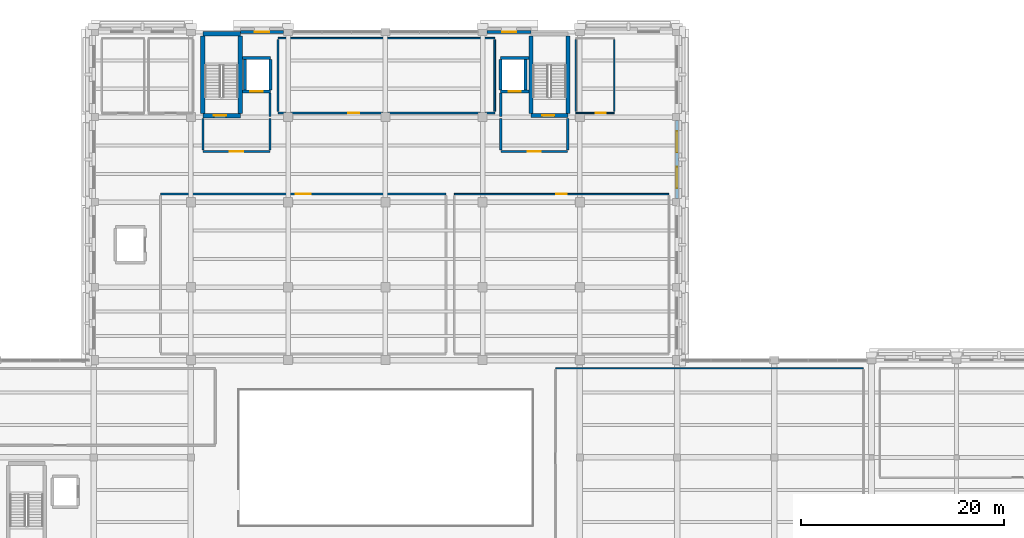
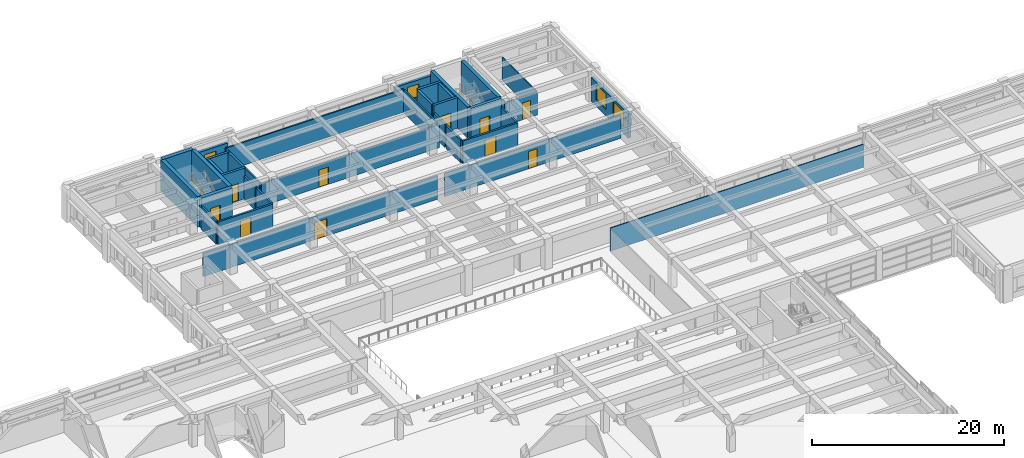
# One storey, part 47 of 62: 36 walls, 10 doors, 4 windows, 14 openings.
"""IFC4 building model written with IfcOpenShell, lengths in metres."""

from ifc_helpers import new_model, si_unit, direction, frame, frame_2d, origin, place, context, subcontext, project, spatial, rectangle, extrude, material, layer, layer_set, type_object, element, fill, save


model = new_model("IFC4")

# Units and contexts
model_context = context("Model", 3, precision=1e-05, world=origin(), true_north=direction((0.0, 1.0)))
body_context = subcontext(model_context, "Body", "Model", "MODEL_VIEW")
ifc_project = project(units=[si_unit("LENGTHUNIT", "METRE"), si_unit("AREAUNIT", "SQUARE_METRE"), si_unit("VOLUMEUNIT", "CUBIC_METRE"), si_unit("PLANEANGLEUNIT", "RADIAN"), si_unit("MASSUNIT", "GRAM", prefix="KILO")], contexts=[model_context])

# Site, building, storey
site_placement = place(None, origin())
site = spatial("IfcSite", under=ifc_project, at=site_placement, CompositionType="ELEMENT")
building_placement = place(site_placement, origin())
building = spatial("IfcBuilding", under=site, at=building_placement, Name="Bempovik Park Faculty of Sciences", CompositionType="ELEMENT")
storey_placement = place(building_placement, frame((0.0, 0.0, 9.89990234375)))
storey = spatial("IfcBuildingStorey", under=building, at=storey_placement, Name="L02", CompositionType="ELEMENT", Elevation=9.89990234375)

# Wall, opening, door
ifc_material_1 = material(Name="Concrete C40/50", Category="concrete")
ifc_layer_1 = layer(ifc_material_1, 0.449951171875)
ifc_layer_set_1 = layer_set([ifc_layer_1], Name="Concrete C40/50")
wall_type_1 = type_object("IfcWallType", Name="W-15 Wall 450mm", PredefinedType="SHEAR", material=ifc_layer_set_1)
wall_1_placement = place(storey_placement, frame((70.77490234375, 111.14990234375, 0.0), z_axis=(0.0, 0.0, 1.0), x_axis=(1.0, 0.0, 0.0)))
wall_1 = element("IfcWall", 1, at=wall_1_placement, inside=storey, type_object=wall_type_1, Name="ST-1 L02 Core Shear Wall South", PredefinedType="SHEAR", context=body_context, shape_type="SweptSolid", body=[
    extrude(rectangle(XDim=3.7001953125, YDim=0.449951171875, at=frame_2d((1.85009765625, 0.0))), origin(), (0.0, 0.0, 1.0), 3.900146484375),
])
opening_1_placement = place(wall_1_placement, frame((1.10009765625, 0.0, 0.0)))
opening_1 = element("IfcOpeningElement", 2, at=opening_1_placement, cuts=wall_1, Name="Opening D-49", PredefinedType="OPENING", context=body_context, shape_type="SweptSolid", body=[
    extrude(rectangle(XDim=1.199951171875, YDim=2.199951171875, at=frame_2d((0.60009765625, 1.10009765625))), frame((0.0, 0.23486328125, 0.0), z_axis=(0.0, -1.0, 0.0), x_axis=(1.0, 0.0, 0.0)), (0.0, 0.0, 1.0), 0.469970703125),
])
ifc_material_2 = material(Name="Painted steel S355", Category="steel")
door_type_1 = type_object("IfcDoorType", Name="D-49 Door 1200x2200", OperationType="NOTDEFINED", PredefinedType="DOOR", material=ifc_material_2)
door_1_placement = place(opening_1_placement, origin())
door_1 = element("IfcDoor", 3, at=door_1_placement, inside=storey, type_object=door_type_1, Name="ST-1 L02 Protected Stair Smoke Door", OperationType="SINGLE_SWING_RIGHT", OverallHeight=2.199951171875, OverallWidth=1.199951171875, PredefinedType="DOOR", context=body_context, shape_type="SweptSolid", body=[
    extrude(rectangle(XDim=1.199951171875, YDim=2.199951171875, at=frame_2d((0.60009765625, 1.10009765625))), frame((0.0, 0.02490234375, 0.0), z_axis=(0.0, -1.0, 0.0), x_axis=(1.0, 0.0, 0.0)), (0.0, 0.0, 1.0), 0.050048828125),
])
fill(opening_1, door_1)

# Walls
for number, where, z_axis, x_axis, name in (
    (4, (70.77490234375, 111.35009765625, 0.0), (0.0, 0.0, 1.0), (0.0, 1.0, 0.0), "ST-1 L02 Core Shear Wall West"),
    (5, (74.47509765625, 111.35009765625, 0.0), (0.0, 0.0, 1.0), (0.0, 1.0, 0.0), "ST-1 L02 Core Shear Wall East"),
):
    element("IfcWall", number, at=place(storey_placement, frame(where, z_axis=z_axis, x_axis=x_axis)), inside=storey, type_object=wall_type_1, Name=name, PredefinedType="SHEAR", context=body_context, shape_type="SweptSolid", body=[
        extrude(rectangle(XDim=7.6748046875, YDim=0.449951171875, at=frame_2d((3.83740234375, 0.0))), origin(), (0.0, 0.0, 1.0), 3.900146484375),
    ])
wall_2_placement = place(storey_placement, frame((70.77490234375, 119.22509765625, 0.0), z_axis=(0.0, 0.0, 1.0), x_axis=(1.0, 0.0, 0.0)))
element("IfcWall", 6, at=wall_2_placement, inside=storey, type_object=wall_type_1, Name="ST-1 L02 Core Shear Wall North", PredefinedType="SHEAR", context=body_context, shape_type="SweptSolid", body=[
    extrude(rectangle(XDim=3.7001953125, YDim=0.449951171875, at=frame_2d((1.85009765625, 0.0))), origin(), (0.0, 0.0, 1.0), 3.900146484375),
])
ifc_material_3 = material(Name="Gypsum acoustic stud assembly")
ifc_layer_2 = layer(ifc_material_3, 0.1201171875)
ifc_layer_set_2 = layer_set([ifc_layer_2], Name="Gypsum acoustic stud assembly")
wall_type_2 = type_object("IfcWallType", Name="W-17 Wall 120mm", PredefinedType="PARTITIONING", material=ifc_layer_set_2)
wall_3_placement = place(storey_placement, frame((105.60009765625, 86.199951171875, 0.0), z_axis=(0.0, 0.0, 1.0), x_axis=(1.0, 0.0, 0.0)))
element("IfcWall", 7, at=wall_3_placement, inside=storey, type_object=wall_type_2, Name="L02 Atrium East Academic Staff Offices Partition North", PredefinedType="PARTITIONING", context=body_context, shape_type="SweptSolid", body=[
    extrude(rectangle(XDim=30.39990234375, YDim=0.1201171875, at=frame_2d((15.199951171875, 0.0))), origin(), (0.0, 0.0, 1.0), 2.920166015625),
])

# Wall, opening, door
wall_4_placement = place(storey_placement, frame((107.60009765625, 111.39990234375, 0.0), z_axis=(0.0, 0.0, 1.0), x_axis=(1.0, 0.0, 0.0)))
wall_4 = element("IfcWall", 8, at=wall_4_placement, inside=storey, type_object=wall_type_2, Name="L02 L02 Accessible WC Partition South", PredefinedType="PARTITIONING", context=body_context, shape_type="SweptSolid", body=[
    extrude(rectangle(XDim=3.7998046875, YDim=0.1201171875, at=frame_2d((1.89990234375, 0.0))), origin(), (0.0, 0.0, 1.0), 2.920166015625),
])
opening_2_placement = place(wall_4_placement, frame((1.969970703125, 0.0, 0.0)))
opening_2 = element("IfcOpeningElement", 9, at=opening_2_placement, cuts=wall_4, Name="Opening D-50", PredefinedType="OPENING", context=body_context, shape_type="SweptSolid", body=[
    extrude(rectangle(XDim=1.0, YDim=2.14990234375, at=frame_2d((0.5, 1.074951171875))), frame((0.0, 0.070068359375, 0.0), z_axis=(0.0, -1.0, 0.0), x_axis=(1.0, 0.0, 0.0)), (0.0, 0.0, 1.0), 0.14013671875),
])
ifc_material_4 = material(Name="West African hardwood finish", Category="wood")
door_type_2 = type_object("IfcDoorType", Name="D-50 Door 1000x2150", OperationType="NOTDEFINED", PredefinedType="DOOR", material=ifc_material_4)
door_2_placement = place(opening_2_placement, origin())
door_2 = element("IfcDoor", 10, at=door_2_placement, inside=storey, type_object=door_type_2, Name="L02 L02 Accessible WC Door", OperationType="SINGLE_SWING_LEFT", OverallHeight=2.14990234375, OverallWidth=1.0, PredefinedType="DOOR", context=body_context, shape_type="SweptSolid", body=[
    extrude(rectangle(XDim=1.0, YDim=2.14990234375, at=frame_2d((0.5, 1.074951171875))), frame((0.0, 0.02490234375, 0.0), z_axis=(0.0, -1.0, 0.0), x_axis=(1.0, 0.0, 0.0)), (0.0, 0.0, 1.0), 0.050048828125),
])
fill(opening_2, door_2)

# Walls
for number, where, z_axis, x_axis, name in (
    (11, (107.60009765625, 111.56005859375, 0.0), (0.0, 0.0, 1.0), (0.0, 1.0, 0.0), "L02 L02 Accessible WC Partition West"),
    (12, (111.39990234375, 111.56005859375, 0.0), (0.0, 0.0, 1.0), (0.0, 1.0, 0.0), "L02 L02 Accessible WC Partition East"),
):
    element("IfcWall", number, at=place(storey_placement, frame(where, z_axis=z_axis, x_axis=x_axis)), inside=storey, type_object=wall_type_2, Name=name, PredefinedType="PARTITIONING", context=body_context, shape_type="SweptSolid", body=[
        extrude(rectangle(XDim=7.079833984375, YDim=0.1201171875, at=frame_2d((3.5400390625, 0.0))), origin(), (0.0, 0.0, 1.0), 2.920166015625),
    ])

# Wall, opening, door
ifc_layer_3 = layer(ifc_material_3, 0.139892578125)
ifc_layer_set_3 = layer_set([ifc_layer_3], Name="Gypsum acoustic stud assembly")
wall_type_3 = type_object("IfcWallType", Name="W-21 Wall 140mm", PredefinedType="PARTITIONING", material=ifc_layer_set_3)
wall_5_placement = place(storey_placement, frame((95.60009765625, 103.39990234375, 0.0), z_axis=(0.0, 0.0, 1.0), x_axis=(1.0, 0.0, 0.0)))
wall_5 = element("IfcWall", 13, at=wall_5_placement, inside=storey, type_object=wall_type_3, Name="L02 Postgraduate Researcher Write-Up Suite Partition North", PredefinedType="PARTITIONING", context=body_context, shape_type="SweptSolid", body=[
    extrude(rectangle(XDim=21.199951171875, YDim=0.139892578125, at=frame_2d((10.60009765625, 0.0))), origin(), (0.0, 0.0, 1.0), 2.920166015625),
])
opening_3_placement = place(wall_5_placement, frame((10.090087890625, 0.0, 0.0)))
opening_3 = element("IfcOpeningElement", 14, at=opening_3_placement, cuts=wall_5, Name="Opening D-12", PredefinedType="OPENING", context=body_context, shape_type="SweptSolid", body=[
    extrude(rectangle(XDim=1.02001953125, YDim=2.199951171875, at=frame_2d((0.510009765625, 1.10009765625))), frame((0.0, 0.080078125, 0.0), z_axis=(0.0, -1.0, 0.0), x_axis=(1.0, 0.0, 0.0)), (0.0, 0.0, 1.0), 0.159912109375),
])
door_type_3 = type_object("IfcDoorType", Name="D-12 Door 1020x2200", OperationType="NOTDEFINED", PredefinedType="DOOR", material=ifc_material_4)
door_3_placement = place(opening_3_placement, origin())
door_3 = element("IfcDoor", 15, at=door_3_placement, inside=storey, type_object=door_type_3, Name="L02 Postgraduate Researcher Write-Up Suite Door", OperationType="SINGLE_SWING_LEFT", OverallHeight=2.199951171875, OverallWidth=1.02001953125, PredefinedType="DOOR", context=body_context, shape_type="SweptSolid", body=[
    extrude(rectangle(XDim=1.02001953125, YDim=2.199951171875, at=frame_2d((0.510009765625, 1.10009765625))), frame((0.0, 0.02490234375, 0.0), z_axis=(0.0, -1.0, 0.0), x_axis=(1.0, 0.0, 0.0)), (0.0, 0.0, 1.0), 0.050048828125),
])
fill(opening_3, door_3)

ifc_layer_4 = layer(ifc_material_1, 0.300048828125)
ifc_layer_set_4 = layer_set([ifc_layer_4], Name="Concrete C40/50")
wall_type_4 = type_object("IfcWallType", Name="W-31 Wall 300mm", PredefinedType="SHEAR", material=ifc_layer_set_4)
wall_6_placement = place(storey_placement, frame((74.699951171875, 113.550048828125, 0.0), z_axis=(0.0, 0.0, 1.0), x_axis=(1.0, 0.0, 0.0)))
wall_6 = element("IfcWall", 16, at=wall_6_placement, inside=storey, type_object=wall_type_4, Name="Lift LF-1 L02 Shaft Wall South", PredefinedType="SHEAR", context=body_context, shape_type="SweptSolid", body=[
    extrude(rectangle(XDim=2.75, YDim=0.300048828125, at=frame_2d((1.375, 0.0))), origin(), (0.0, 0.0, 1.0), 3.900146484375),
])
opening_4_placement = place(wall_6_placement, frame((0.77490234375, 0.0, 0.0)))
opening_4 = element("IfcOpeningElement", 17, at=opening_4_placement, cuts=wall_6, Name="Opening LD-01", PredefinedType="OPENING", context=body_context, shape_type="SweptSolid", body=[
    extrude(rectangle(XDim=1.199951171875, YDim=2.199951171875, at=frame_2d((0.60009765625, 1.10009765625))), frame((0.0, 0.16015625, 0.0), z_axis=(0.0, -1.0, 0.0), x_axis=(1.0, 0.0, 0.0)), (0.0, 0.0, 1.0), 0.320068359375),
])
door_type_4 = type_object("IfcDoorType", Name="LD-01 Door 1200x2200", OperationType="NOTDEFINED", PredefinedType="DOOR", material=ifc_material_2)
door_4_placement = place(opening_4_placement, origin())
door_4 = element("IfcDoor", 18, at=door_4_placement, inside=storey, type_object=door_type_4, Name="Lift LF-1 L02 Sliding Landing Door", OperationType="SLIDING_TO_LEFT", OverallHeight=2.199951171875, OverallWidth=1.199951171875, PredefinedType="DOOR", context=body_context, shape_type="SweptSolid", body=[
    extrude(rectangle(XDim=1.199951171875, YDim=2.199951171875, at=frame_2d((0.60009765625, 1.10009765625))), frame((0.0, 0.02490234375, 0.0), z_axis=(0.0, -1.0, 0.0), x_axis=(1.0, 0.0, 0.0)), (0.0, 0.0, 1.0), 0.050048828125),
])
fill(opening_4, door_4)

# Walls
wall_7_placement = place(storey_placement, frame((74.699951171875, 116.85009765625, 0.0), z_axis=(0.0, 0.0, 1.0), x_axis=(1.0, 0.0, 0.0)))
element("IfcWall", 19, at=wall_7_placement, inside=storey, type_object=wall_type_4, Name="Lift LF-1 L02 Shaft Wall North", PredefinedType="SHEAR", context=body_context, shape_type="SweptSolid", body=[
    extrude(rectangle(XDim=2.75, YDim=0.300048828125, at=frame_2d((1.375, 0.0))), origin(), (0.0, 0.0, 1.0), 3.900146484375),
])
for number, where, z_axis, x_axis, name in (
    (20, (74.949951171875, 113.699951171875, 0.0), (0.0, 0.0, 1.0), (0.0, 1.0, 0.0), "Lift LF-1 L02 Shaft Wall West"),
    (21, (77.449951171875, 113.699951171875, 0.0), (0.0, 0.0, 1.0), (0.0, 1.0, 0.0), "Lift LF-1 L02 Shaft Wall East"),
):
    element("IfcWall", number, at=place(storey_placement, frame(where, z_axis=z_axis, x_axis=x_axis)), inside=storey, type_object=wall_type_4, Name=name, PredefinedType="SHEAR", context=body_context, shape_type="SweptSolid", body=[
        extrude(rectangle(XDim=3.0, YDim=0.300048828125, at=frame_2d((1.5, 0.0))), origin(), (0.0, 0.0, 1.0), 3.900146484375),
    ])

# Wall, opening, door
wall_8_placement = place(storey_placement, frame((100.14990234375, 113.550048828125, 0.0), z_axis=(0.0, 0.0, 1.0), x_axis=(1.0, 0.0, 0.0)))
wall_8 = element("IfcWall", 22, at=wall_8_placement, inside=storey, type_object=wall_type_4, Name="Lift LF-2 L02 Shaft Wall South", PredefinedType="SHEAR", context=body_context, shape_type="SweptSolid", body=[
    extrude(rectangle(XDim=2.8251953125, YDim=0.300048828125, at=frame_2d((1.41259765625, 0.0))), origin(), (0.0, 0.0, 1.0), 3.900146484375),
])
opening_5_placement = place(wall_8_placement, frame((0.8125, 0.0, 0.0)))
opening_5 = element("IfcOpeningElement", 23, at=opening_5_placement, cuts=wall_8, Name="Opening LD-01", PredefinedType="OPENING", context=body_context, shape_type="SweptSolid", body=[
    extrude(rectangle(XDim=1.199951171875, YDim=2.199951171875, at=frame_2d((0.60009765625, 1.10009765625))), frame((0.0, 0.16015625, 0.0), z_axis=(0.0, -1.0, 0.0), x_axis=(1.0, 0.0, 0.0)), (0.0, 0.0, 1.0), 0.320068359375),
])
door_5_placement = place(opening_5_placement, origin())
door_5 = element("IfcDoor", 24, at=door_5_placement, inside=storey, type_object=door_type_4, Name="Lift LF-2 L02 Sliding Landing Door", OperationType="SLIDING_TO_LEFT", OverallHeight=2.199951171875, OverallWidth=1.199951171875, PredefinedType="DOOR", context=body_context, shape_type="SweptSolid", body=[
    extrude(rectangle(XDim=1.199951171875, YDim=2.199951171875, at=frame_2d((0.60009765625, 1.10009765625))), frame((0.0, 0.02490234375, 0.0), z_axis=(0.0, -1.0, 0.0), x_axis=(1.0, 0.0, 0.0)), (0.0, 0.0, 1.0), 0.050048828125),
])
fill(opening_5, door_5)

# Walls
wall_9_placement = place(storey_placement, frame((100.14990234375, 116.85009765625, 0.0), z_axis=(0.0, 0.0, 1.0), x_axis=(1.0, 0.0, 0.0)))
element("IfcWall", 25, at=wall_9_placement, inside=storey, type_object=wall_type_4, Name="Lift LF-2 L02 Shaft Wall North", PredefinedType="SHEAR", context=body_context, shape_type="SweptSolid", body=[
    extrude(rectangle(XDim=2.8251953125, YDim=0.300048828125, at=frame_2d((1.41259765625, 0.0))), origin(), (0.0, 0.0, 1.0), 3.900146484375),
])
for number, where, z_axis, x_axis, name in (
    (26, (100.14990234375, 113.699951171875, 0.0), (0.0, 0.0, 1.0), (0.0, 1.0, 0.0), "Lift LF-2 L02 Shaft Wall West"),
    (27, (102.64990234375, 113.699951171875, 0.0), (0.0, 0.0, 1.0), (0.0, 1.0, 0.0), "Lift LF-2 L02 Shaft Wall East"),
):
    element("IfcWall", number, at=place(storey_placement, frame(where, z_axis=z_axis, x_axis=x_axis)), inside=storey, type_object=wall_type_4, Name=name, PredefinedType="SHEAR", context=body_context, shape_type="SweptSolid", body=[
        extrude(rectangle(XDim=3.0, YDim=0.300048828125, at=frame_2d((1.5, 0.0))), origin(), (0.0, 0.0, 1.0), 3.900146484375),
    ])

# Wall, opening, door
ifc_material_5 = material(Name="Concrete C35/45", Category="concrete")
ifc_layer_5 = layer(ifc_material_5, 0.219970703125)
ifc_layer_set_5 = layer_set([ifc_layer_5], Name="Concrete C35/45")
wall_type_5 = type_object("IfcWallType", Name="W-38 Wall 220mm", PredefinedType="PARTITIONING", material=ifc_layer_set_5)
wall_10_placement = place(storey_placement, frame((70.800048828125, 107.60009765625, 0.0), z_axis=(0.0, 0.0, 1.0), x_axis=(1.0, 0.0, 0.0)))
wall_10 = element("IfcWall", 28, at=wall_10_placement, inside=storey, type_object=wall_type_5, Name="L02 Firefighting Lift Lobby West Partition South", PredefinedType="PARTITIONING", context=body_context, shape_type="SweptSolid", body=[
    extrude(rectangle(XDim=6.599853515625, YDim=0.219970703125, at=frame_2d((3.2998046875, 0.0))), origin(), (0.0, 0.0, 1.0), 2.920166015625),
])
opening_6_placement = place(wall_10_placement, frame((2.64990234375, 0.0, 0.0)))
opening_6 = element("IfcOpeningElement", 29, at=opening_6_placement, cuts=wall_10, Name="Opening D-38", PredefinedType="OPENING", context=body_context, shape_type="SweptSolid", body=[
    extrude(rectangle(XDim=1.300048828125, YDim=2.199951171875, at=frame_2d((0.64990234375, 1.10009765625))), frame((0.0, 0.1201171875, 0.0), z_axis=(0.0, -1.0, 0.0), x_axis=(1.0, 0.0, 0.0)), (0.0, 0.0, 1.0), 0.239990234375),
])
door_type_5 = type_object("IfcDoorType", Name="D-38 Door 1300x2200", OperationType="NOTDEFINED", PredefinedType="DOOR", material=ifc_material_2)
door_6_placement = place(opening_6_placement, origin())
door_6 = element("IfcDoor", 30, at=door_6_placement, inside=storey, type_object=door_type_5, Name="L02 Firefighting Lift Lobby West Door", OperationType="SINGLE_SWING_RIGHT", OverallHeight=2.199951171875, OverallWidth=1.300048828125, PredefinedType="DOOR", context=body_context, shape_type="SweptSolid", body=[
    extrude(rectangle(XDim=1.300048828125, YDim=2.199951171875, at=frame_2d((0.64990234375, 1.10009765625))), frame((0.0, 0.02490234375, 0.0), z_axis=(0.0, -1.0, 0.0), x_axis=(1.0, 0.0, 0.0)), (0.0, 0.0, 1.0), 0.050048828125),
])
fill(opening_6, door_6)

# Walls
wall_11_placement = place(storey_placement, frame((77.39990234375, 111.080078125, 0.0), z_axis=(0.0, 0.0, 1.0), x_axis=(0.0, 1.0, 0.0)))
element("IfcWall", 31, at=wall_11_placement, inside=storey, type_object=wall_type_5, Name="L02 Firefighting Lobby West Lift Link Wall", PredefinedType="PARTITIONING", context=body_context, shape_type="SweptSolid", body=[
    extrude(rectangle(XDim=2.31982421875, YDim=0.219970703125, at=frame_2d((1.159912109375, 0.0))), origin(), (0.0, 0.0, 1.0), 2.920166015625),
])
for number, where, z_axis, x_axis, name in (
    (32, (70.800048828125, 107.760009765625, 0.0), (0.0, 0.0, 1.0), (0.0, 1.0, 0.0), "L02 Firefighting Lift Lobby West Partition West"),
    (33, (77.39990234375, 107.760009765625, 0.0), (0.0, 0.0, 1.0), (0.0, 1.0, 0.0), "L02 Firefighting Lift Lobby West Partition East"),
):
    element("IfcWall", number, at=place(storey_placement, frame(where, z_axis=z_axis, x_axis=x_axis)), inside=storey, type_object=wall_type_5, Name=name, PredefinedType="PARTITIONING", context=body_context, shape_type="SweptSolid", body=[
        extrude(rectangle(XDim=3.080078125, YDim=0.219970703125, at=frame_2d((1.5400390625, 0.0))), origin(), (0.0, 0.0, 1.0), 2.920166015625),
    ])

# Wall, opening, door
wall_12_placement = place(storey_placement, frame((100.199951171875, 107.60009765625, 0.0), z_axis=(0.0, 0.0, 1.0), x_axis=(1.0, 0.0, 0.0)))
wall_12 = element("IfcWall", 34, at=wall_12_placement, inside=storey, type_object=wall_type_5, Name="L02 Firefighting Lift Lobby East Partition South", PredefinedType="PARTITIONING", context=body_context, shape_type="SweptSolid", body=[
    extrude(rectangle(XDim=6.60009765625, YDim=0.219970703125, at=frame_2d((3.300048828125, 0.0))), origin(), (0.0, 0.0, 1.0), 2.920166015625),
])
opening_7_placement = place(wall_12_placement, frame((2.64990234375, 0.0, 0.0)))
opening_7 = element("IfcOpeningElement", 35, at=opening_7_placement, cuts=wall_12, Name="Opening D-38", PredefinedType="OPENING", context=body_context, shape_type="SweptSolid", body=[
    extrude(rectangle(XDim=1.300048828125, YDim=2.199951171875, at=frame_2d((0.64990234375, 1.10009765625))), frame((0.0, 0.1201171875, 0.0), z_axis=(0.0, -1.0, 0.0), x_axis=(1.0, 0.0, 0.0)), (0.0, 0.0, 1.0), 0.239990234375),
])
door_7_placement = place(opening_7_placement, origin())
door_7 = element("IfcDoor", 36, at=door_7_placement, inside=storey, type_object=door_type_5, Name="L02 Firefighting Lift Lobby East Door", OperationType="SINGLE_SWING_LEFT", OverallHeight=2.199951171875, OverallWidth=1.300048828125, PredefinedType="DOOR", context=body_context, shape_type="SweptSolid", body=[
    extrude(rectangle(XDim=1.300048828125, YDim=2.199951171875, at=frame_2d((0.64990234375, 1.10009765625))), frame((0.0, 0.02490234375, 0.0), z_axis=(0.0, -1.0, 0.0), x_axis=(1.0, 0.0, 0.0)), (0.0, 0.0, 1.0), 0.050048828125),
])
fill(opening_7, door_7)

# Walls
wall_13_placement = place(storey_placement, frame((100.199951171875, 111.080078125, 0.0), z_axis=(0.0, 0.0, 1.0), x_axis=(0.0, 1.0, 0.0)))
element("IfcWall", 37, at=wall_13_placement, inside=storey, type_object=wall_type_5, Name="L02 Firefighting Lobby East Lift Link Wall", PredefinedType="PARTITIONING", context=body_context, shape_type="SweptSolid", body=[
    extrude(rectangle(XDim=2.31982421875, YDim=0.219970703125, at=frame_2d((1.159912109375, 0.0))), origin(), (0.0, 0.0, 1.0), 2.920166015625),
])
for number, where, z_axis, x_axis, name in (
    (38, (100.199951171875, 107.760009765625, 0.0), (0.0, 0.0, 1.0), (0.0, 1.0, 0.0), "L02 Firefighting Lift Lobby East Partition West"),
    (39, (106.800048828125, 107.760009765625, 0.0), (0.0, 0.0, 1.0), (0.0, 1.0, 0.0), "L02 Firefighting Lift Lobby East Partition East"),
):
    element("IfcWall", number, at=place(storey_placement, frame(where, z_axis=z_axis, x_axis=x_axis)), inside=storey, type_object=wall_type_5, Name=name, PredefinedType="PARTITIONING", context=body_context, shape_type="SweptSolid", body=[
        extrude(rectangle(XDim=3.080078125, YDim=0.219970703125, at=frame_2d((1.5400390625, 0.0))), origin(), (0.0, 0.0, 1.0), 2.920166015625),
    ])

# Wall, opening, door
ifc_layer_6 = layer(ifc_material_1, 0.39990234375)
ifc_layer_set_6 = layer_set([ifc_layer_6], Name="Concrete C40/50")
wall_type_6 = type_object("IfcWallType", Name="W-47 Wall 400mm", PredefinedType="SHEAR", material=ifc_layer_set_6)
wall_14_placement = place(storey_placement, frame((103.175048828125, 111.175048828125, 0.0), z_axis=(0.0, 0.0, 1.0), x_axis=(1.0, 0.0, 0.0)))
wall_14 = element("IfcWall", 40, at=wall_14_placement, inside=storey, type_object=wall_type_6, Name="ST-2 L02 Core Shear Wall South", PredefinedType="SHEAR", context=body_context, shape_type="SweptSolid", body=[
    extrude(rectangle(XDim=3.64990234375, YDim=0.39990234375, at=frame_2d((1.824951171875, 0.0))), origin(), (0.0, 0.0, 1.0), 3.900146484375),
])
opening_8_placement = place(wall_14_placement, frame((1.10009765625, 0.0, 0.0)))
opening_8 = element("IfcOpeningElement", 41, at=opening_8_placement, cuts=wall_14, Name="Opening D-49", PredefinedType="OPENING", context=body_context, shape_type="SweptSolid", body=[
    extrude(rectangle(XDim=1.199951171875, YDim=2.199951171875, at=frame_2d((0.60009765625, 1.10009765625))), frame((0.0, 0.2099609375, 0.0), z_axis=(0.0, -1.0, 0.0), x_axis=(1.0, 0.0, 0.0)), (0.0, 0.0, 1.0), 0.419921875),
])
door_8_placement = place(opening_8_placement, origin())
door_8 = element("IfcDoor", 42, at=door_8_placement, inside=storey, type_object=door_type_1, Name="ST-2 L02 Protected Stair Smoke Door", OperationType="SINGLE_SWING_RIGHT", OverallHeight=2.199951171875, OverallWidth=1.199951171875, PredefinedType="DOOR", context=body_context, shape_type="SweptSolid", body=[
    extrude(rectangle(XDim=1.199951171875, YDim=2.199951171875, at=frame_2d((0.60009765625, 1.10009765625))), frame((0.0, 0.02490234375, 0.0), z_axis=(0.0, -1.0, 0.0), x_axis=(1.0, 0.0, 0.0)), (0.0, 0.0, 1.0), 0.050048828125),
])
fill(opening_8, door_8)

# Walls
for number, where, z_axis, x_axis, name in (
    (43, (103.175048828125, 111.375, 0.0), (0.0, 0.0, 1.0), (0.0, 1.0, 0.0), "ST-2 L02 Core Shear Wall West"),
    (44, (106.824951171875, 111.375, 0.0), (0.0, 0.0, 1.0), (0.0, 1.0, 0.0), "ST-2 L02 Core Shear Wall East"),
):
    element("IfcWall", number, at=place(storey_placement, frame(where, z_axis=z_axis, x_axis=x_axis)), inside=storey, type_object=wall_type_6, Name=name, PredefinedType="SHEAR", context=body_context, shape_type="SweptSolid", body=[
        extrude(rectangle(XDim=7.625, YDim=0.39990234375, at=frame_2d((3.8125, 0.0))), origin(), (0.0, 0.0, 1.0), 3.900146484375),
    ])

# Wall, opening, door
ifc_layer_7 = layer(ifc_material_5, 0.169921875)
ifc_layer_set_7 = layer_set([ifc_layer_7], Name="Concrete C35/45")
wall_type_7 = type_object("IfcWallType", Name="W-50 Wall 170mm", PredefinedType="PARTITIONING", material=ifc_layer_set_7)
wall_15_placement = place(storey_placement, frame((78.199951171875, 111.39990234375, 0.0), z_axis=(0.0, 0.0, 1.0), x_axis=(1.0, 0.0, 0.0)))
wall_15 = element("IfcWall", 45, at=wall_15_placement, inside=storey, type_object=wall_type_7, Name="L02 Autoclave and Media Preparation Room Partition South", PredefinedType="PARTITIONING", context=body_context, shape_type="SweptSolid", body=[
    extrude(rectangle(XDim=21.400146484375, YDim=0.169921875, at=frame_2d((10.7001953125, 0.0))), origin(), (0.0, 0.0, 1.0), 2.920166015625),
])
opening_9_placement = place(wall_15_placement, frame((6.93994140625, 0.0, 0.0)))
opening_9 = element("IfcOpeningElement", 46, at=opening_9_placement, cuts=wall_15, Name="Opening D-65", PredefinedType="OPENING", context=body_context, shape_type="SweptSolid", body=[
    extrude(rectangle(XDim=1.10009765625, YDim=2.199951171875, at=frame_2d((0.550048828125, 1.10009765625))), frame((0.0, 0.094970703125, 0.0), z_axis=(0.0, -1.0, 0.0), x_axis=(1.0, 0.0, 0.0)), (0.0, 0.0, 1.0), 0.18994140625),
])
door_type_6 = type_object("IfcDoorType", Name="D-65 Door 1100x2200", OperationType="NOTDEFINED", PredefinedType="DOOR", material=ifc_material_4)
door_9_placement = place(opening_9_placement, origin())
door_9 = element("IfcDoor", 47, at=door_9_placement, inside=storey, type_object=door_type_6, Name="L02 Autoclave and Media Preparation Room Door", OperationType="SINGLE_SWING_RIGHT", OverallHeight=2.199951171875, OverallWidth=1.10009765625, PredefinedType="DOOR", context=body_context, shape_type="SweptSolid", body=[
    extrude(rectangle(XDim=1.10009765625, YDim=2.199951171875, at=frame_2d((0.550048828125, 1.10009765625))), frame((0.0, 0.02490234375, 0.0), z_axis=(0.0, -1.0, 0.0), x_axis=(1.0, 0.0, 0.0)), (0.0, 0.0, 1.0), 0.050048828125),
])
fill(opening_9, door_9)

# Walls
wall_16_placement = place(storey_placement, frame((78.199951171875, 118.800048828125, 0.0), z_axis=(0.0, 0.0, 1.0), x_axis=(1.0, 0.0, 0.0)))
element("IfcWall", 48, at=wall_16_placement, inside=storey, type_object=wall_type_7, Name="L02 Autoclave and Media Preparation Room Partition North", PredefinedType="PARTITIONING", context=body_context, shape_type="SweptSolid", body=[
    extrude(rectangle(XDim=21.400146484375, YDim=0.169921875, at=frame_2d((10.7001953125, 0.0))), origin(), (0.0, 0.0, 1.0), 2.920166015625),
])
for number, where, z_axis, x_axis, name in (
    (49, (78.199951171875, 111.56005859375, 0.0), (0.0, 0.0, 1.0), (0.0, 1.0, 0.0), "L02 Autoclave and Media Preparation Room Partition West"),
    (50, (99.60009765625, 111.56005859375, 0.0), (0.0, 0.0, 1.0), (0.0, 1.0, 0.0), "L02 Autoclave and Media Preparation Room Partition East"),
):
    element("IfcWall", number, at=place(storey_placement, frame(where, z_axis=z_axis, x_axis=x_axis)), inside=storey, type_object=wall_type_7, Name=name, PredefinedType="PARTITIONING", context=body_context, shape_type="SweptSolid", body=[
        extrude(rectangle(XDim=7.079833984375, YDim=0.169921875, at=frame_2d((3.5400390625, 0.0))), origin(), (0.0, 0.0, 1.0), 2.920166015625),
    ])

# Wall, opening, window
ifc_material_6 = material(Name="Precast concrete C40/50", Category="concrete")
ifc_layer_8 = layer(ifc_material_6, 0.320068359375)
ifc_layer_set_8 = layer_set([ifc_layer_8], Name="Precast concrete C40/50")
wall_type_8 = type_object("IfcWallType", Name="W-56 Wall 320mm", PredefinedType="SOLIDWALL", material=ifc_layer_set_8)
wall_17_placement = place(storey_placement, frame((74.47607421875, 119.39990234375, 0.0), z_axis=(0.0, 0.0, 1.0), x_axis=(1.0, 0.0, 0.0)))
wall_17 = element("IfcWall", 51, at=wall_17_placement, inside=storey, type_object=wall_type_8, Name="L02 Classical Precast Facade Wall EW-L02-7606", PredefinedType="SOLIDWALL", context=body_context, shape_type="SweptSolid", body=[
    extrude(rectangle(XDim=4.27197265625, YDim=0.320068359375, at=frame_2d((2.135986328125, 0.0))), origin(), (0.0, 0.0, 1.0), 3.080078125),
])
opening_10_placement = place(wall_17_placement, frame((1.43603515625, 0.0, 0.89990234375)))
opening_10 = element("IfcOpeningElement", 52, at=opening_10_placement, cuts=wall_17, Name="Opening WN-84", PredefinedType="OPENING", context=body_context, shape_type="SweptSolid", body=[
    extrude(rectangle(XDim=1.39990234375, YDim=1.64990234375, at=frame_2d((0.699951171875, 0.824951171875))), frame((0.0, 0.169921875, 0.0), z_axis=(0.0, -1.0, 0.0), x_axis=(1.0, 0.0, 0.0)), (0.0, 0.0, 1.0), 0.340087890625),
])
ifc_material_7 = material(Name="Tempered laminated low-E glass", Category="glass")
window_type_1 = type_object("IfcWindowType", Name="WN-84 Window 1400x1650", PartitioningType="SINGLE_PANEL", PredefinedType="WINDOW", material=ifc_material_7)
window_1_placement = place(opening_10_placement, origin())
window_1 = element("IfcWindow", 53, at=window_1_placement, inside=storey, type_object=window_type_1, Name="L02 Stairwell Classical Lancet Window EW-L02-7606", OverallHeight=1.64990234375, OverallWidth=1.39990234375, PartitioningType="SINGLE_PANEL", PredefinedType="WINDOW", context=body_context, shape_type="SweptSolid", body=[
    extrude(rectangle(XDim=1.39990234375, YDim=1.64990234375, at=frame_2d((0.699951171875, 0.824951171875))), frame((0.0, 0.030029296875, 0.0), z_axis=(0.0, -1.0, 0.0), x_axis=(1.0, 0.0, 0.0)), (0.0, 0.0, 1.0), 0.06005859375),
])
fill(opening_10, window_1)

wall_18_placement = place(storey_placement, frame((98.85205078125, 119.39990234375, 0.0), z_axis=(0.0, 0.0, 1.0), x_axis=(1.0, 0.0, 0.0)))
wall_18 = element("IfcWall", 54, at=wall_18_placement, inside=storey, type_object=wall_type_8, Name="L02 Classical Precast Facade Wall EW-L02-7649", PredefinedType="SOLIDWALL", context=body_context, shape_type="SweptSolid", body=[
    extrude(rectangle(XDim=4.322021484375, YDim=0.320068359375, at=frame_2d((2.1611328125, 0.0))), origin(), (0.0, 0.0, 1.0), 3.080078125),
])
opening_11_placement = place(wall_18_placement, frame((1.4609375, 0.0, 0.89990234375)))
opening_11 = element("IfcOpeningElement", 55, at=opening_11_placement, cuts=wall_18, Name="Opening WN-84", PredefinedType="OPENING", context=body_context, shape_type="SweptSolid", body=[
    extrude(rectangle(XDim=1.39990234375, YDim=1.64990234375, at=frame_2d((0.699951171875, 0.824951171875))), frame((0.0, 0.169921875, 0.0), z_axis=(0.0, -1.0, 0.0), x_axis=(1.0, 0.0, 0.0)), (0.0, 0.0, 1.0), 0.340087890625),
])
window_2_placement = place(opening_11_placement, origin())
window_2 = element("IfcWindow", 56, at=window_2_placement, inside=storey, type_object=window_type_1, Name="L02 Stairwell Classical Lancet Window EW-L02-7649", OverallHeight=1.64990234375, OverallWidth=1.39990234375, PartitioningType="SINGLE_PANEL", PredefinedType="WINDOW", context=body_context, shape_type="SweptSolid", body=[
    extrude(rectangle(XDim=1.39990234375, YDim=1.64990234375, at=frame_2d((0.699951171875, 0.824951171875))), frame((0.0, 0.030029296875, 0.0), z_axis=(0.0, -1.0, 0.0), x_axis=(1.0, 0.0, 0.0)), (0.0, 0.0, 1.0), 0.06005859375),
])
fill(opening_11, window_2)

# Wall, openings, windows
wall_19_placement = place(storey_placement, frame((117.60009765625, 102.951904296875, 0.0), z_axis=(0.0, 0.0, 1.0), x_axis=(0.0, 1.0, 0.0)))
wall_19 = element("IfcWall", 57, at=wall_19_placement, inside=storey, type_object=wall_type_8, Name="L02 Classical Precast Facade Wall EW-L02-7695", PredefinedType="SOLIDWALL", context=body_context, shape_type="SweptSolid", body=[
    extrude(rectangle(XDim=7.696044921875, YDim=0.320068359375, at=frame_2d((3.84814453125, 0.0))), origin(), (0.0, 0.0, 1.0), 3.080078125),
])
opening_12_placement = place(wall_19_placement, frame((1.02783203125, 0.0, 0.85009765625)))
opening_12 = element("IfcOpeningElement", 58, at=opening_12_placement, cuts=wall_19, Name="Opening WN-39", PredefinedType="OPENING", context=body_context, shape_type="SweptSolid", body=[
    extrude(rectangle(XDim=2.10009765625, YDim=1.949951171875, at=frame_2d((1.050048828125, 0.97509765625))), frame((0.0, 0.169921875, 0.0), z_axis=(0.0, -1.0, 0.0), x_axis=(1.0, 0.0, 0.0)), (0.0, 0.0, 1.0), 0.340087890625),
])
opening_13_placement = place(wall_19_placement, frame((4.568115234375, 0.0, 0.85009765625)))
opening_13 = element("IfcOpeningElement", 59, at=opening_13_placement, cuts=wall_19, Name="Opening WN-39", PredefinedType="OPENING", context=body_context, shape_type="SweptSolid", body=[
    extrude(rectangle(XDim=2.10009765625, YDim=1.949951171875, at=frame_2d((1.050048828125, 0.97509765625))), frame((0.0, 0.169921875, 0.0), z_axis=(0.0, -1.0, 0.0), x_axis=(1.0, 0.0, 0.0)), (0.0, 0.0, 1.0), 0.340087890625),
])
window_type_2 = type_object("IfcWindowType", Name="WN-39 Window 2100x1950", PartitioningType="SINGLE_PANEL", PredefinedType="WINDOW", material=ifc_material_7)
window_3_placement = place(opening_12_placement, origin())
window_3 = element("IfcWindow", 60, at=window_3_placement, inside=storey, type_object=window_type_2, Name="L02 Window EW-L02-7695-1", OverallHeight=1.949951171875, OverallWidth=2.10009765625, PartitioningType="SINGLE_PANEL", PredefinedType="WINDOW", context=body_context, shape_type="SweptSolid", body=[
    extrude(rectangle(XDim=2.10009765625, YDim=1.949951171875, at=frame_2d((1.050048828125, 0.97509765625))), frame((0.0, 0.030029296875, 0.0), z_axis=(0.0, -1.0, 0.0), x_axis=(1.0, 0.0, 0.0)), (0.0, 0.0, 1.0), 0.06005859375),
])
fill(opening_12, window_3)
window_4_placement = place(opening_13_placement, origin())
window_4 = element("IfcWindow", 61, at=window_4_placement, inside=storey, type_object=window_type_2, Name="L02 Window EW-L02-7695-2", OverallHeight=1.949951171875, OverallWidth=2.10009765625, PartitioningType="SINGLE_PANEL", PredefinedType="WINDOW", context=body_context, shape_type="SweptSolid", body=[
    extrude(rectangle(XDim=2.10009765625, YDim=1.949951171875, at=frame_2d((1.050048828125, 0.97509765625))), frame((0.0, 0.030029296875, 0.0), z_axis=(0.0, -1.0, 0.0), x_axis=(1.0, 0.0, 0.0)), (0.0, 0.0, 1.0), 0.06005859375),
])
fill(opening_13, window_4)

# Wall, opening, door
ifc_layer_9 = layer(ifc_material_5, 0.199951171875)
ifc_layer_set_9 = layer_set([ifc_layer_9], Name="Concrete C35/45")
wall_type_9 = type_object("IfcWallType", Name="W-59 Wall 200mm", PredefinedType="PARTITIONING", material=ifc_layer_set_9)
wall_20_placement = place(storey_placement, frame((66.60009765625, 103.39990234375, 0.0), z_axis=(0.0, 0.0, 1.0), x_axis=(1.0, 0.0, 0.0)))
wall_20 = element("IfcWall", 62, at=wall_20_placement, inside=storey, type_object=wall_type_9, Name="L02 Inorganic Synthesis Research Laboratory Partition North", PredefinedType="PARTITIONING", context=body_context, shape_type="SweptSolid", body=[
    extrude(rectangle(XDim=28.199951171875, YDim=0.199951171875, at=frame_2d((14.10009765625, 0.0))), origin(), (0.0, 0.0, 1.0), 2.920166015625),
])
opening_14_placement = place(wall_20_placement, frame((13.35009765625, 0.0, 0.0)))
opening_14 = element("IfcOpeningElement", 63, at=opening_14_placement, cuts=wall_20, Name="Opening D-22", PredefinedType="OPENING", context=body_context, shape_type="SweptSolid", body=[
    extrude(rectangle(XDim=1.5, YDim=2.199951171875, at=frame_2d((0.75, 1.10009765625))), frame((0.0, 0.10986328125, 0.0), z_axis=(0.0, -1.0, 0.0), x_axis=(1.0, 0.0, 0.0)), (0.0, 0.0, 1.0), 0.219970703125),
])
door_type_7 = type_object("IfcDoorType", Name="D-22 Door 1500x2200", OperationType="NOTDEFINED", PredefinedType="DOOR", material=ifc_material_4)
door_10_placement = place(opening_14_placement, origin())
door_10 = element("IfcDoor", 64, at=door_10_placement, inside=storey, type_object=door_type_7, Name="L02 Inorganic Synthesis Research Laboratory Door", OperationType="SINGLE_SWING_RIGHT", OverallHeight=2.199951171875, OverallWidth=1.5, PredefinedType="DOOR", context=body_context, shape_type="SweptSolid", body=[
    extrude(rectangle(XDim=1.5, YDim=2.199951171875, at=frame_2d((0.75, 1.10009765625))), frame((0.0, 0.02490234375, 0.0), z_axis=(0.0, -1.0, 0.0), x_axis=(1.0, 0.0, 0.0)), (0.0, 0.0, 1.0), 0.050048828125),
])
fill(opening_14, door_10)

save(model, "model.ifc")
